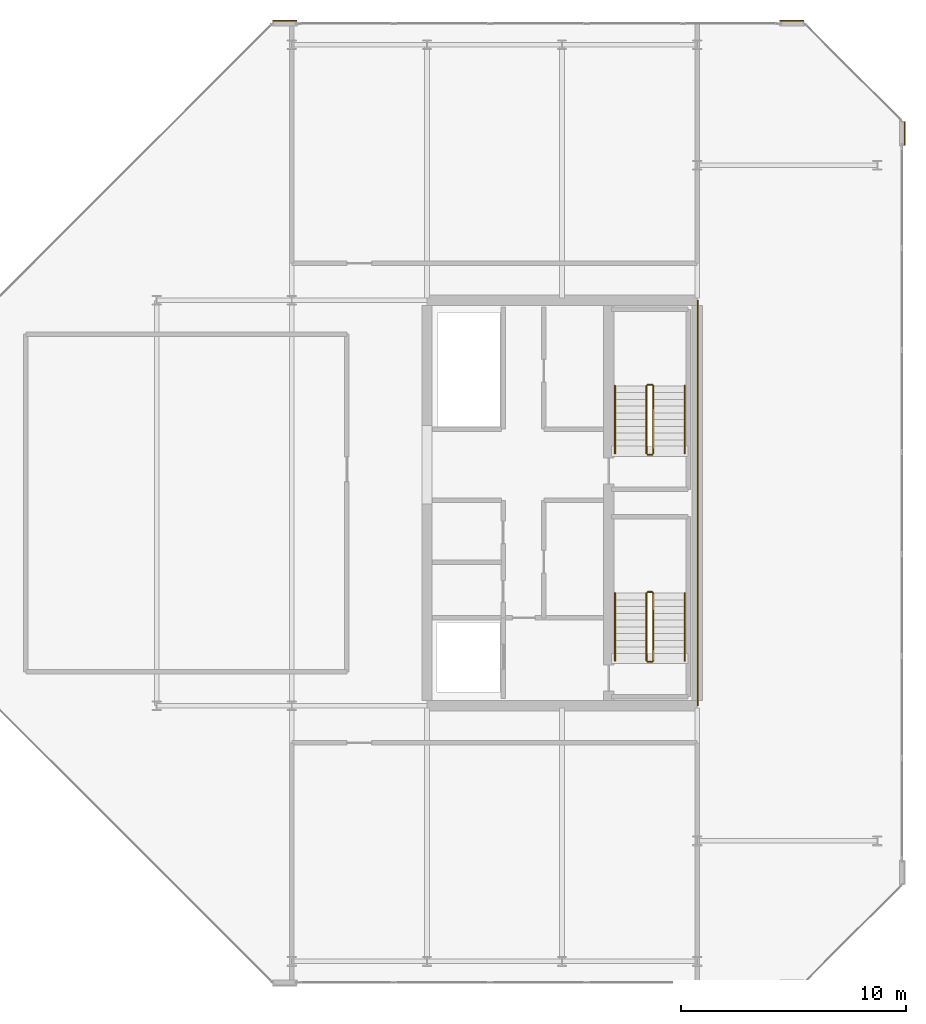
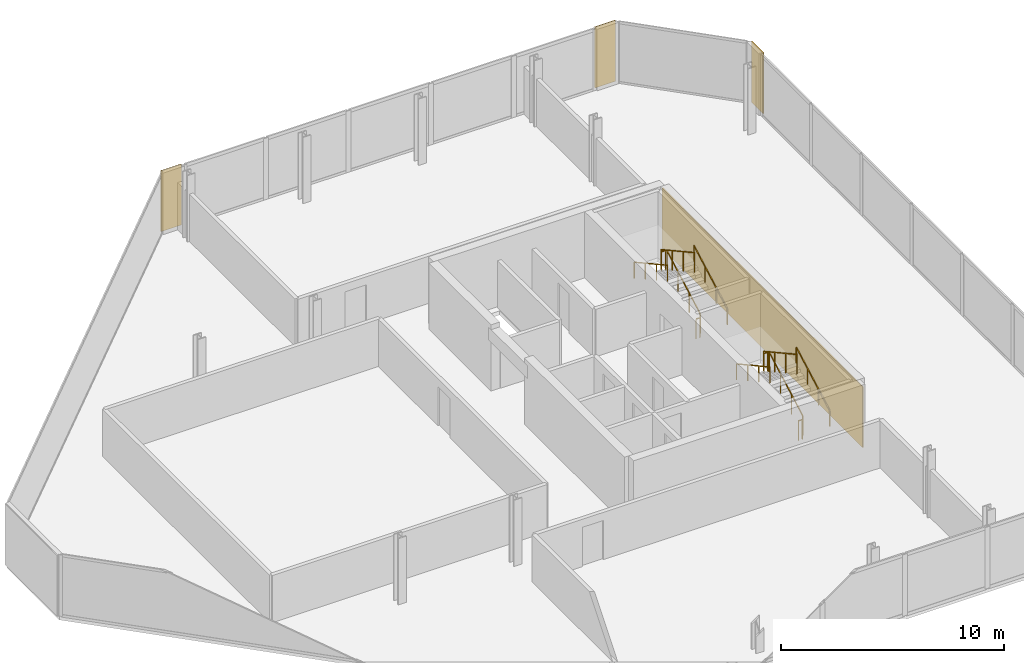
# One storey, part 16 of 16: 12 railings, 4 coverings.
"""IFC4 building model written with IfcOpenShell, lengths in metres."""

from ifc_helpers import new_model, si_unit, direction, frame, origin, origin_2d, place, context, subcontext, project, spatial, rectangle, extrude, material, layer, layer_set, type_object, element, save


model = new_model("IFC4")

# Units and contexts
model_context = context("Model", 3, precision=1e-05, world=origin(), true_north=direction((0.0, 1.0)))
body_context = subcontext(model_context, "Body", "Model", "MODEL_VIEW")
ifc_project = project(units=[si_unit("LENGTHUNIT", "METRE"), si_unit("AREAUNIT", "SQUARE_METRE"), si_unit("VOLUMEUNIT", "CUBIC_METRE"), si_unit("PLANEANGLEUNIT", "RADIAN"), si_unit("MASSUNIT", "GRAM", prefix="KILO")], contexts=[model_context])

# Site, building, storey
site_placement = place(None, origin())
site = spatial("IfcSite", under=ifc_project, at=site_placement, CompositionType="ELEMENT")
building_placement = place(site_placement, origin())
building = spatial("IfcBuilding", under=site, at=building_placement, Name="Tanjung Sevakor Pilgrim Tower", CompositionType="ELEMENT")
storey_placement = place(building_placement, frame((0.0, 0.0, 275.219970703125)))
storey = spatial("IfcBuildingStorey", under=building, at=storey_placement, Name="L77", CompositionType="ELEMENT", Elevation=275.219970703125)

# Coverings
ifc_material_1 = material(Name="Reconstructed Limestone Cladding", Category="masonry")
ifc_layer = layer(ifc_material_1, 0.044921875)
ifc_layer_set = layer_set([ifc_layer], Name="COV-CLAD-LIMESTONE")
covering_type = type_object("IfcCoveringType", Name="COV-CLAD-LIMESTONE", PredefinedType="CLADDING", material=ifc_layer_set)
for number, where, z_axis, x_axis, name in (
    (1, (99.222412109375, 50.00439453125, 0.02001953125), (0.0, 0.0, 1.0), (0.0, 1.0, 0.0), "L77 Warm Limestone Wall Cladding EW-CRN2-L77-EAST-2-1"),
    (2, (94.204345703125, 55.0224609375, 0.02001953125), (0.0, 0.0, 1.0), (-1.0, 0.0, 0.0), "L77 Warm Limestone Wall Cladding EW-CRN1-L77-EAST-4-1"),
    (3, (71.695556640625, 55.0224609375, 0.02001953125), (0.0, 0.0, 1.0), (-1.0, 0.0, 0.0), "L77 Warm Limestone Wall Cladding EW-CRN2-L77-EAST-4-1"),
):
    element("IfcCovering", number, at=place(storey_placement, frame(where, z_axis=z_axis, x_axis=x_axis)), inside=storey, type_object=covering_type, Name=name, PredefinedType="CLADDING", context=body_context, shape_type="SweptSolid", body=[
        extrude(rectangle(XDim=1.06005859375, YDim=0.044921875, at=origin_2d()), origin(), (0.0, 0.0, 1.0), 3.330078125),
    ])
covering_placement = place(storey_placement, frame((90.0224609375, 33.60009765625, 0.02001953125), z_axis=(0.0, 0.0, 1.0), x_axis=(1.0, 0.0, 0.0)))
element("IfcCovering", 4, at=covering_placement, inside=storey, type_object=covering_type, Name="L77 Expressed Core Warm Limestone Cladding E", PredefinedType="CLADDING", context=body_context, shape_type="SweptSolid", body=[
    extrude(rectangle(XDim=0.044921875, YDim=18.0, at=origin_2d()), origin(), (0.0, 0.0, 1.0), 3.330078125),
])

# Railings
ifc_material_2 = material(Name="Steel S355J2", Category="steel")
railing_type_1 = type_object("IfcRailingType", Name="RL-STAIR-GUARD", PredefinedType="GUARDRAIL", material=ifc_material_2)
railing_1_placement = place(storey_placement, frame((88.050048828125, 26.60009765625, 0.1650390625)))
element("IfcRailing", 5, at=railing_1_placement, inside=storey, type_object=railing_type_1, Name="L77 TS-E1 stair guard 1", PredefinedType="GUARDRAIL", context=body_context, shape_type="SweptSolid", body=[
    extrude(rectangle(XDim=0.0479, YDim=0.0479), frame((0.0, 0.0, 1.076171875), z_axis=(0.0, 0.876227952683, 0.48189685093), x_axis=(-1.0, 0.0, 0.0)), (0.0, 0.0, 1.0), 3.423828125),
    extrude(rectangle(XDim=0.042, YDim=0.042), origin(), (0.0, 0.0, 1.0), 1.052001953125),
    extrude(rectangle(XDim=0.042, YDim=0.042), frame((0.0, 1.0, 0.550048828125)), (0.0, 0.0, 1.0), 1.052001953125),
    extrude(rectangle(XDim=0.042, YDim=0.042), frame((0.0, 2.0, 1.099853515625)), (0.0, 0.0, 1.0), 1.052001953125),
    extrude(rectangle(XDim=0.042, YDim=0.042), frame((0.0, 3.0, 1.64990234375)), (0.0, 0.0, 1.0), 1.052001953125),
])
railing_2_placement = place(storey_placement, frame((88.0, 29.64990234375, 1.81494140625)))
element("IfcRailing", 6, at=railing_2_placement, inside=storey, type_object=railing_type_1, Name="L77 TS-E1 stair guard 2", PredefinedType="GUARDRAIL", context=body_context, shape_type="SweptSolid", body=[
    extrude(rectangle(XDim=0.0479, YDim=0.0479), frame((0.0, 0.0, 1.076171875), z_axis=(-1.0, 0.0, 0.0), x_axis=(0.0, -1.0, 0.0)), (0.0, 0.0, 1.0), 0.199951171875),
    extrude(rectangle(XDim=0.042, YDim=0.042), origin(), (0.0, 0.0, 1.0), 1.052001953125),
    extrude(rectangle(XDim=0.042, YDim=0.042), frame((-0.199951171875, 0.0, 0.0)), (0.0, 0.0, 1.0), 1.052001953125),
])
railing_3_placement = place(storey_placement, frame((87.75, 29.60009765625, 1.97998046875)))
element("IfcRailing", 7, at=railing_3_placement, inside=storey, type_object=railing_type_1, Name="L77 TS-E1 stair guard 3", PredefinedType="GUARDRAIL", context=body_context, shape_type="SweptSolid", body=[
    extrude(rectangle(XDim=0.0479, YDim=0.0479), frame((0.0, 0.0, 1.076171875), z_axis=(0.0, -0.876197842262, 0.481951596342), x_axis=(1.0, 0.0, 0.0)), (0.0, 0.0, 1.0), 3.423828125),
    extrude(rectangle(XDim=0.042, YDim=0.042), origin(), (0.0, 0.0, 1.0), 1.052001953125),
    extrude(rectangle(XDim=0.042, YDim=0.042), frame((0.0, -1.0, 0.550048828125)), (0.0, 0.0, 1.0), 1.052001953125),
    extrude(rectangle(XDim=0.042, YDim=0.042), frame((0.0, -2.0, 1.10009765625)), (0.0, 0.0, 1.0), 1.052001953125),
    extrude(rectangle(XDim=0.042, YDim=0.042), frame((0.0, -3.0, 1.650146484375)), (0.0, 0.0, 1.0), 1.052001953125),
])
railing_4_placement = place(storey_placement, frame((88.0, 26.550048828125, 0.0)))
element("IfcRailing", 8, at=railing_4_placement, inside=storey, type_object=railing_type_1, Name="L77 TS-E1 stair guard 4", PredefinedType="GUARDRAIL", context=body_context, shape_type="SweptSolid", body=[
    extrude(rectangle(XDim=0.0479, YDim=0.0479), frame((0.0, 0.0, 1.076171875), z_axis=(-1.0, 0.0, 0.0), x_axis=(0.0, -1.0, 0.0)), (0.0, 0.0, 1.0), 0.199951171875),
    extrude(rectangle(XDim=0.042, YDim=0.042), origin(), (0.0, 0.0, 1.0), 1.052001953125),
    extrude(rectangle(XDim=0.042, YDim=0.042), frame((-0.199951171875, 0.0, 0.0)), (0.0, 0.0, 1.0), 1.052001953125),
])
railing_5_placement = place(storey_placement, frame((88.050048828125, 35.800048828125, 0.1650390625)))
element("IfcRailing", 9, at=railing_5_placement, inside=storey, type_object=railing_type_1, Name="L77 TS-E2 stair guard 1", PredefinedType="GUARDRAIL", context=body_context, shape_type="SweptSolid", body=[
    extrude(rectangle(XDim=0.0479, YDim=0.0479), frame((0.0, 0.0, 1.076171875), z_axis=(0.0, 0.876227952683, 0.48189685093), x_axis=(-1.0, 0.0, 0.0)), (0.0, 0.0, 1.0), 3.423828125),
    extrude(rectangle(XDim=0.042, YDim=0.042), origin(), (0.0, 0.0, 1.0), 1.052001953125),
    extrude(rectangle(XDim=0.042, YDim=0.042), frame((0.0, 1.0, 0.550048828125)), (0.0, 0.0, 1.0), 1.052001953125),
    extrude(rectangle(XDim=0.042, YDim=0.042), frame((0.0, 2.0, 1.099853515625)), (0.0, 0.0, 1.0), 1.052001953125),
    extrude(rectangle(XDim=0.042, YDim=0.042), frame((0.0, 3.0, 1.64990234375)), (0.0, 0.0, 1.0), 1.052001953125),
])
railing_6_placement = place(storey_placement, frame((88.0, 38.85009765625, 1.81494140625)))
element("IfcRailing", 10, at=railing_6_placement, inside=storey, type_object=railing_type_1, Name="L77 TS-E2 stair guard 2", PredefinedType="GUARDRAIL", context=body_context, shape_type="SweptSolid", body=[
    extrude(rectangle(XDim=0.0479, YDim=0.0479), frame((0.0, 0.0, 1.076171875), z_axis=(-1.0, 0.0, 0.0), x_axis=(0.0, -1.0, 0.0)), (0.0, 0.0, 1.0), 0.199951171875),
    extrude(rectangle(XDim=0.042, YDim=0.042), origin(), (0.0, 0.0, 1.0), 1.052001953125),
    extrude(rectangle(XDim=0.042, YDim=0.042), frame((-0.199951171875, 0.0, 0.0)), (0.0, 0.0, 1.0), 1.052001953125),
])
railing_7_placement = place(storey_placement, frame((87.75, 38.800048828125, 1.97998046875)))
element("IfcRailing", 11, at=railing_7_placement, inside=storey, type_object=railing_type_1, Name="L77 TS-E2 stair guard 3", PredefinedType="GUARDRAIL", context=body_context, shape_type="SweptSolid", body=[
    extrude(rectangle(XDim=0.0479, YDim=0.0479), frame((0.0, 0.0, 1.076171875), z_axis=(0.0, -0.876197842262, 0.481951596342), x_axis=(1.0, 0.0, 0.0)), (0.0, 0.0, 1.0), 3.423828125),
    extrude(rectangle(XDim=0.042, YDim=0.042), origin(), (0.0, 0.0, 1.0), 1.052001953125),
    extrude(rectangle(XDim=0.042, YDim=0.042), frame((0.0, -1.0, 0.550048828125)), (0.0, 0.0, 1.0), 1.052001953125),
    extrude(rectangle(XDim=0.042, YDim=0.042), frame((0.0, -2.0, 1.10009765625)), (0.0, 0.0, 1.0), 1.052001953125),
    extrude(rectangle(XDim=0.042, YDim=0.042), frame((0.0, -3.0, 1.650146484375)), (0.0, 0.0, 1.0), 1.052001953125),
])
railing_8_placement = place(storey_placement, frame((88.0, 35.75, 0.0)))
element("IfcRailing", 12, at=railing_8_placement, inside=storey, type_object=railing_type_1, Name="L77 TS-E2 stair guard 4", PredefinedType="GUARDRAIL", context=body_context, shape_type="SweptSolid", body=[
    extrude(rectangle(XDim=0.0479, YDim=0.0479), frame((0.0, 0.0, 1.076171875), z_axis=(-1.0, 0.0, 0.0), x_axis=(0.0, -1.0, 0.0)), (0.0, 0.0, 1.0), 0.199951171875),
    extrude(rectangle(XDim=0.042, YDim=0.042), origin(), (0.0, 0.0, 1.0), 1.052001953125),
    extrude(rectangle(XDim=0.042, YDim=0.042), frame((-0.199951171875, 0.0, 0.0)), (0.0, 0.0, 1.0), 1.052001953125),
])
ifc_material_3 = material(Name="Steel S355J2", Category="steel")
railing_type_2 = type_object("IfcRailingType", Name="RL-STAIR-HAND", PredefinedType="HANDRAIL", material=ifc_material_3)
railing_9_placement = place(storey_placement, frame((89.449951171875, 26.60009765625, 0.1650390625)))
element("IfcRailing", 13, at=railing_9_placement, inside=storey, type_object=railing_type_2, Name="L77 TS-E1 stair handrail 1", PredefinedType="HANDRAIL", context=body_context, shape_type="SweptSolid", body=[
    extrude(rectangle(XDim=0.0479, YDim=0.0479), frame((0.0, 0.0, 0.8759765625), z_axis=(0.0, 0.876227952683, 0.48189685093), x_axis=(-1.0, 0.0, 0.0)), (0.0, 0.0, 1.0), 3.423828125),
    extrude(rectangle(XDim=0.042, YDim=0.042), origin(), (0.0, 0.0, 1.0), 0.851806640625),
    extrude(rectangle(XDim=0.042, YDim=0.042), frame((0.0, 1.0, 0.550048828125)), (0.0, 0.0, 1.0), 0.851806640625),
    extrude(rectangle(XDim=0.042, YDim=0.042), frame((0.0, 2.0, 1.099853515625)), (0.0, 0.0, 1.0), 0.851806640625),
    extrude(rectangle(XDim=0.042, YDim=0.042), frame((0.0, 3.0, 1.64990234375)), (0.0, 0.0, 1.0), 0.851806640625),
])
railing_10_placement = place(storey_placement, frame((86.35009765625, 29.60009765625, 1.97998046875)))
element("IfcRailing", 14, at=railing_10_placement, inside=storey, type_object=railing_type_2, Name="L77 TS-E1 stair handrail 2", PredefinedType="HANDRAIL", context=body_context, shape_type="SweptSolid", body=[
    extrude(rectangle(XDim=0.0479, YDim=0.0479), frame((0.0, 0.0, 0.8759765625), z_axis=(0.0, -0.876197842262, 0.481951596342), x_axis=(1.0, 0.0, 0.0)), (0.0, 0.0, 1.0), 3.423828125),
    extrude(rectangle(XDim=0.042, YDim=0.042), origin(), (0.0, 0.0, 1.0), 0.851806640625),
    extrude(rectangle(XDim=0.042, YDim=0.042), frame((0.0, -1.0, 0.550048828125)), (0.0, 0.0, 1.0), 0.851806640625),
    extrude(rectangle(XDim=0.042, YDim=0.042), frame((0.0, -2.0, 1.10009765625)), (0.0, 0.0, 1.0), 0.851806640625),
    extrude(rectangle(XDim=0.042, YDim=0.042), frame((0.0, -3.0, 1.650146484375)), (0.0, 0.0, 1.0), 0.851806640625),
])
railing_11_placement = place(storey_placement, frame((89.449951171875, 35.800048828125, 0.1650390625)))
element("IfcRailing", 15, at=railing_11_placement, inside=storey, type_object=railing_type_2, Name="L77 TS-E2 stair handrail 1", PredefinedType="HANDRAIL", context=body_context, shape_type="SweptSolid", body=[
    extrude(rectangle(XDim=0.0479, YDim=0.0479), frame((0.0, 0.0, 0.8759765625), z_axis=(0.0, 0.876227952683, 0.48189685093), x_axis=(-1.0, 0.0, 0.0)), (0.0, 0.0, 1.0), 3.423828125),
    extrude(rectangle(XDim=0.042, YDim=0.042), origin(), (0.0, 0.0, 1.0), 0.851806640625),
    extrude(rectangle(XDim=0.042, YDim=0.042), frame((0.0, 1.0, 0.550048828125)), (0.0, 0.0, 1.0), 0.851806640625),
    extrude(rectangle(XDim=0.042, YDim=0.042), frame((0.0, 2.0, 1.099853515625)), (0.0, 0.0, 1.0), 0.851806640625),
    extrude(rectangle(XDim=0.042, YDim=0.042), frame((0.0, 3.0, 1.64990234375)), (0.0, 0.0, 1.0), 0.851806640625),
])
railing_12_placement = place(storey_placement, frame((86.35009765625, 38.800048828125, 1.97998046875)))
element("IfcRailing", 16, at=railing_12_placement, inside=storey, type_object=railing_type_2, Name="L77 TS-E2 stair handrail 2", PredefinedType="HANDRAIL", context=body_context, shape_type="SweptSolid", body=[
    extrude(rectangle(XDim=0.0479, YDim=0.0479), frame((0.0, 0.0, 0.8759765625), z_axis=(0.0, -0.876197842262, 0.481951596342), x_axis=(1.0, 0.0, 0.0)), (0.0, 0.0, 1.0), 3.423828125),
    extrude(rectangle(XDim=0.042, YDim=0.042), origin(), (0.0, 0.0, 1.0), 0.851806640625),
    extrude(rectangle(XDim=0.042, YDim=0.042), frame((0.0, -1.0, 0.550048828125)), (0.0, 0.0, 1.0), 0.851806640625),
    extrude(rectangle(XDim=0.042, YDim=0.042), frame((0.0, -2.0, 1.10009765625)), (0.0, 0.0, 1.0), 0.851806640625),
    extrude(rectangle(XDim=0.042, YDim=0.042), frame((0.0, -3.0, 1.650146484375)), (0.0, 0.0, 1.0), 0.851806640625),
])

save(model, "model.ifc")
